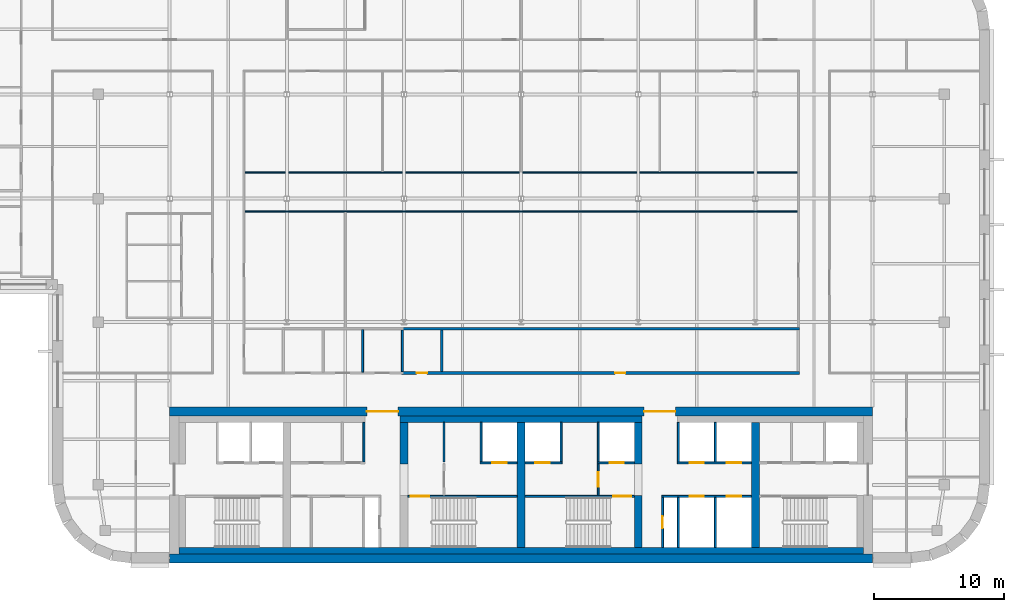
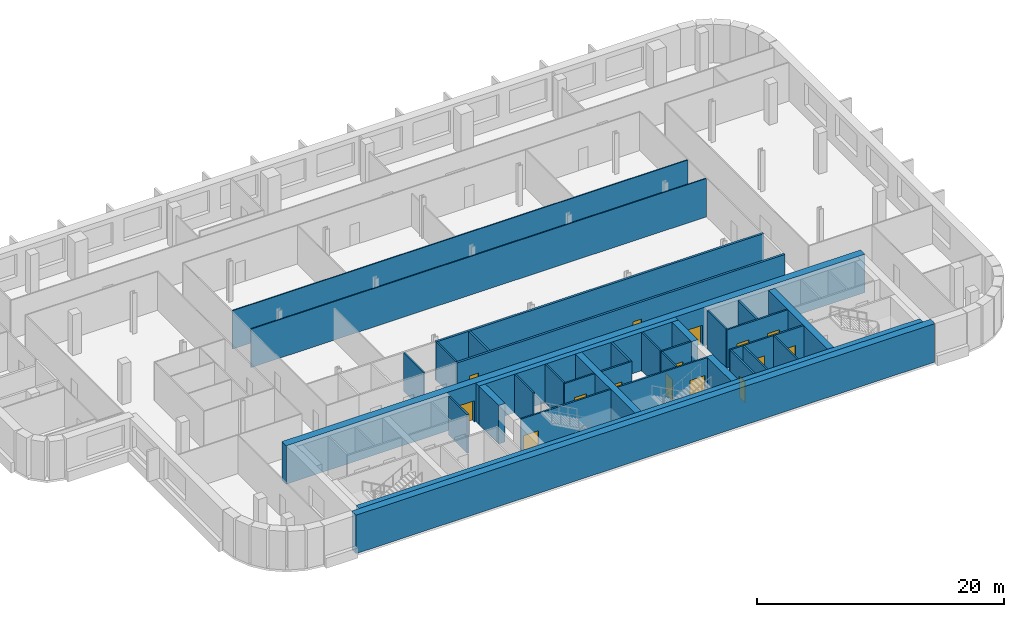
# One storey, part 9 of 16: 34 walls, 15 doors, 15 openings.
"""IFC4 building model written with IfcOpenShell, lengths in metres."""

from ifc_helpers import new_model, si_unit, direction, frame, frame_2d, origin, place, context, subcontext, project, spatial, rectangle, extrude, material, layer, layer_set, type_object, element, fill, save


model = new_model("IFC4")

# Units and contexts
model_context = context("Model", 3, precision=1e-05, world=origin(), true_north=direction((0.0, 1.0)))
body_context = subcontext(model_context, "Body", "Model", "MODEL_VIEW")
ifc_project = project(units=[si_unit("LENGTHUNIT", "METRE"), si_unit("AREAUNIT", "SQUARE_METRE"), si_unit("VOLUMEUNIT", "CUBIC_METRE"), si_unit("PLANEANGLEUNIT", "RADIAN"), si_unit("MASSUNIT", "GRAM", prefix="KILO")], contexts=[model_context])

# Site, building, storey
site_placement = place(None, origin())
site = spatial("IfcSite", under=ifc_project, at=site_placement, CompositionType="ELEMENT")
building_placement = place(site_placement, origin())
building = spatial("IfcBuilding", under=site, at=building_placement, Name="Zellij Exchange Tower", CompositionType="ELEMENT")
storey_placement = place(building_placement, frame((0.0, 0.0, 236.5)))
storey = spatial("IfcBuildingStorey", under=building, at=storey_placement, Name="L55", CompositionType="ELEMENT", Elevation=236.5)

# Walls
ifc_material_1 = material(Name="Concrete C50/60", Category="concrete")
ifc_layer_1 = layer(ifc_material_1, 0.60009765625)
ifc_layer_set_1 = layer_set([ifc_layer_1], Name="Concrete C50/60")
wall_type_1 = type_object("IfcWallType", Name="CORE-CW 600 C50/60", PredefinedType="SHEAR", material=ifc_layer_set_1)
wall_1_placement = place(storey_placement, frame((-9.0, -6.375, 0.0), z_axis=(0.0, 0.0, 1.0), x_axis=(0.0, 1.0, 0.0)))
element("IfcWall", 1, at=wall_1_placement, inside=storey, type_object=wall_type_1, Name="Core cross wall pier x -9 b L55", PredefinedType="SHEAR", context=body_context, shape_type="SweptSolid", body=[
    extrude(rectangle(XDim=3.175048828125, YDim=0.60009765625, at=frame_2d((1.58740234375, 0.0))), origin(), (0.0, 0.0, 1.0), 3.800048828125),
])
wall_2_placement = place(storey_placement, frame((0.0, -12.800048828125, 0.0), z_axis=(0.0, 0.0, 1.0), x_axis=(0.0, 1.0, 0.0)))
element("IfcWall", 2, at=wall_2_placement, inside=storey, type_object=wall_type_1, Name="Core cross wall x 0 L55", PredefinedType="SHEAR", context=body_context, shape_type="SweptSolid", body=[
    extrude(rectangle(XDim=9.60009765625, YDim=0.60009765625, at=frame_2d((4.800048828125, 0.0))), origin(), (0.0, 0.0, 1.0), 3.800048828125),
])
wall_3_placement = place(storey_placement, frame((9.0, -12.800048828125, 0.0), z_axis=(0.0, 0.0, 1.0), x_axis=(0.0, 1.0, 0.0)))
element("IfcWall", 3, at=wall_3_placement, inside=storey, type_object=wall_type_1, Name="Core cross wall pier x 9 a L55", PredefinedType="SHEAR", context=body_context, shape_type="SweptSolid", body=[
    extrude(rectangle(XDim=4.0, YDim=0.60009765625, at=frame_2d((2.0, 0.0))), origin(), (0.0, 0.0, 1.0), 3.800048828125),
])
wall_4_placement = place(storey_placement, frame((9.0, -6.375, 0.0), z_axis=(0.0, 0.0, 1.0), x_axis=(0.0, 1.0, 0.0)))
element("IfcWall", 4, at=wall_4_placement, inside=storey, type_object=wall_type_1, Name="Core cross wall pier x 9 b L55", PredefinedType="SHEAR", context=body_context, shape_type="SweptSolid", body=[
    extrude(rectangle(XDim=3.175048828125, YDim=0.60009765625, at=frame_2d((1.58740234375, 0.0))), origin(), (0.0, 0.0, 1.0), 3.800048828125),
])
wall_5_placement = place(storey_placement, frame((18.0, -12.800048828125, 0.0), z_axis=(0.0, 0.0, 1.0), x_axis=(0.0, 1.0, 0.0)))
element("IfcWall", 5, at=wall_5_placement, inside=storey, type_object=wall_type_1, Name="Core cross wall x 18 L55", PredefinedType="SHEAR", context=body_context, shape_type="SweptSolid", body=[
    extrude(rectangle(XDim=9.60009765625, YDim=0.60009765625, at=frame_2d((4.800048828125, 0.0))), origin(), (0.0, 0.0, 1.0), 3.800048828125),
])
ifc_material_2 = material(Name="Concrete C30/37", Category="concrete")
ifc_layer_2 = layer(ifc_material_2, 0.5)
ifc_layer_set_2 = layer_set([ifc_layer_2], Name="Concrete C30/37")
wall_type_2 = type_object("IfcWallType", Name="CORE-LW 500 C30/37", PredefinedType="SHEAR", material=ifc_layer_set_2)
wall_6_placement = place(storey_placement, frame((-9.300048828125, -2.949951171875, 0.0), z_axis=(0.0, 0.0, 1.0), x_axis=(1.0, 0.0, 0.0)))
element("IfcWall", 6, at=wall_6_placement, inside=storey, type_object=wall_type_2, Name="Core wall lining front.1 L55", PredefinedType="SHEAR", context=body_context, shape_type="SweptSolid", body=[
    extrude(rectangle(XDim=18.60009765625, YDim=0.5, at=frame_2d((9.300048828125, 0.0))), origin(), (0.0, 0.0, 1.0), 3.800048828125),
])
wall_7_placement = place(storey_placement, frame((-26.300048828125, -13.050048828125, 0.0), z_axis=(0.0, 0.0, 1.0), x_axis=(1.0, 0.0, 0.0)))
element("IfcWall", 7, at=wall_7_placement, inside=storey, type_object=wall_type_2, Name="Core wall lining rear.0 L55", PredefinedType="SHEAR", context=body_context, shape_type="SweptSolid", body=[
    extrude(rectangle(XDim=52.60009765625, YDim=0.5, at=frame_2d((26.300048828125, 0.0))), origin(), (0.0, 0.0, 1.0), 3.800048828125),
])

# Wall, opening, door
ifc_material_3 = material(Name="Gypsum shaft wall system")
ifc_layer_3 = layer(ifc_material_3, 0.14990234375)
ifc_layer_set_3 = layer_set([ifc_layer_3], Name="Gypsum shaft wall system")
wall_type_3 = type_object("IfcWallType", Name="CORE-PW 150 Firefighting lobby wall", PredefinedType="PARTITIONING", material=ifc_layer_set_3)
wall_8_placement = place(storey_placement, frame((5.925048828125, -8.800048828125, 0.0), z_axis=(0.0, 0.0, 1.0), x_axis=(0.0, 1.0, 0.0)))
wall_8 = element("IfcWall", 8, at=wall_8_placement, inside=storey, type_object=wall_type_3, Name="Firefighting lobby wall L55", PredefinedType="PARTITIONING", context=body_context, shape_type="SweptSolid", body=[
    extrude(rectangle(XDim=2.425048828125, YDim=0.14990234375, at=frame_2d((1.21240234375, 0.0))), origin(), (0.0, 0.0, 1.0), 3.800048828125),
])
opening_1_placement = place(wall_8_placement, frame((0.662109375, 0.0, 0.0)))
opening_1 = element("IfcOpeningElement", 9, at=opening_1_placement, cuts=wall_8, Name="Opening CA-29.15", PredefinedType="OPENING", context=body_context, shape_type="SweptSolid", body=[
    extrude(rectangle(XDim=1.10009765625, YDim=2.10009765625, at=frame_2d((0.550048828125, 1.050048828125))), frame((0.0, 0.0869140625, 0.0), z_axis=(0.0, -1.0, 0.0), x_axis=(1.0, 0.0, 0.0)), (0.0, 0.0, 1.0), 0.173828125),
])
ifc_material_4 = material(Name="Hollow metal fire door")
door_type_1 = type_object("IfcDoorType", Name="CORE-D F Firefighting lobby door 1100x2100 1 HR", OperationType="NOTDEFINED", PredefinedType="DOOR", material=ifc_material_4)
door_1_placement = place(opening_1_placement, origin())
door_1 = element("IfcDoor", 10, at=door_1_placement, inside=storey, type_object=door_type_1, Name="Firefighting lobby door CA-29.15", OperationType="SINGLE_SWING_RIGHT", OverallHeight=2.10009765625, OverallWidth=1.10009765625, PredefinedType="DOOR", context=body_context, shape_type="SweptSolid", body=[
    extrude(rectangle(XDim=1.10009765625, YDim=2.10009765625, at=frame_2d((0.550048828125, 1.050048828125))), frame((0.0, 0.02490234375, 0.0), z_axis=(0.0, -1.0, 0.0), x_axis=(1.0, 0.0, 0.0)), (0.0, 0.0, 1.0), 0.050048828125),
])
fill(opening_1, door_1)

# Walls
ifc_material_5 = material(Name="Gypsum board partition")
ifc_layer_4 = layer(ifc_material_5, 0.14990234375)
ifc_layer_set_4 = layer_set([ifc_layer_4], Name="Gypsum board partition")
wall_type_4 = type_object("IfcWallType", Name="CORE-PW 150 Lift lobby wall", PredefinedType="PARTITIONING", material=ifc_layer_set_4)
for number, where, z_axis, x_axis, name in (
    (11, (-12.074951171875, -6.22509765625, 0.0), (0.0, 0.0, 1.0), (0.0, 1.0, 0.0), "Lift lobby wall L55"),
    (12, (-5.925048828125, -6.22509765625, 0.0), (0.0, 0.0, 1.0), (0.0, 1.0, 0.0), "Lift lobby wall L55"),
):
    element("IfcWall", number, at=place(storey_placement, frame(where, z_axis=z_axis, x_axis=x_axis)), inside=storey, type_object=wall_type_4, Name=name, PredefinedType="PARTITIONING", context=body_context, shape_type="SweptSolid", body=[
        extrude(rectangle(XDim=3.025146484375, YDim=0.14990234375, at=frame_2d((1.5126953125, 0.0))), origin(), (0.0, 0.0, 1.0), 3.800048828125),
    ])

# Wall, opening, door
wall_9_placement = place(storey_placement, frame((10.875, -12.800048828125, 0.0), z_axis=(0.0, 0.0, 1.0), x_axis=(0.0, 1.0, 0.0)))
wall_9 = element("IfcWall", 13, at=wall_9_placement, inside=storey, type_object=wall_type_4, Name="Lift lobby wall L55", PredefinedType="PARTITIONING", context=body_context, shape_type="SweptSolid", body=[
    extrude(rectangle(XDim=3.85009765625, YDim=0.14990234375, at=frame_2d((1.925048828125, 0.0))), origin(), (0.0, 0.0, 1.0), 3.800048828125),
])
opening_2_placement = place(wall_9_placement, frame((1.47509765625, 0.0, 0.0)))
opening_2 = element("IfcOpeningElement", 14, at=opening_2_placement, cuts=wall_9, Name="Opening CA-29.19", PredefinedType="OPENING", context=body_context, shape_type="SweptSolid", body=[
    extrude(rectangle(XDim=0.89990234375, YDim=2.10009765625, at=frame_2d((0.449951171875, 1.050048828125))), frame((0.0, 0.0869140625, 0.0), z_axis=(0.0, -1.0, 0.0), x_axis=(1.0, 0.0, 0.0)), (0.0, 0.0, 1.0), 0.173828125),
])
door_type_2 = type_object("IfcDoorType", Name="CORE-D RD Riser door 900x2100 1.5 HR", OperationType="NOTDEFINED", PredefinedType="DOOR", material=ifc_material_4)
door_2_placement = place(opening_2_placement, origin())
door_2 = element("IfcDoor", 15, at=door_2_placement, inside=storey, type_object=door_type_2, Name="Riser door CA-29.19", OperationType="SINGLE_SWING_LEFT", OverallHeight=2.10009765625, OverallWidth=0.89990234375, PredefinedType="DOOR", context=body_context, shape_type="SweptSolid", body=[
    extrude(rectangle(XDim=0.89990234375, YDim=2.10009765625, at=frame_2d((0.449951171875, 1.050048828125))), frame((0.0, 0.02490234375, 0.0), z_axis=(0.0, -1.0, 0.0), x_axis=(1.0, 0.0, 0.0)), (0.0, 0.0, 1.0), 0.050048828125),
])
fill(opening_2, door_2)

# Walls
ifc_layer_5 = layer(ifc_material_3, 0.14990234375)
ifc_layer_set_5 = layer_set([ifc_layer_5], Name="Gypsum shaft wall system")
wall_type_5 = type_object("IfcWallType", Name="CORE-PW 150 Lift shaft wall", PredefinedType="PARTITIONING", material=ifc_layer_set_5)
for number, where, z_axis, x_axis, name in (
    (16, (-3.074951171875, -6.22509765625, 0.0), (0.0, 0.0, 1.0), (0.0, 1.0, 0.0), "Lift shaft wall L55"),
    (17, (3.074951171875, -6.22509765625, 0.0), (0.0, 0.0, 1.0), (0.0, 1.0, 0.0), "Lift shaft wall L55"),
    (18, (5.925048828125, -6.22509765625, 0.0), (0.0, 0.0, 1.0), (0.0, 1.0, 0.0), "Lift shaft wall L55"),
    (19, (12.074951171875, -6.22509765625, 0.0), (0.0, 0.0, 1.0), (0.0, 1.0, 0.0), "Lift shaft wall L55"),
    (20, (14.925048828125, -6.22509765625, 0.0), (0.0, 0.0, 1.0), (0.0, 1.0, 0.0), "Lift shaft wall L55"),
):
    element("IfcWall", number, at=place(storey_placement, frame(where, z_axis=z_axis, x_axis=x_axis)), inside=storey, type_object=wall_type_5, Name=name, PredefinedType="PARTITIONING", context=body_context, shape_type="SweptSolid", body=[
        extrude(rectangle(XDim=3.025146484375, YDim=0.14990234375, at=frame_2d((1.5126953125, 0.0))), origin(), (0.0, 0.0, 1.0), 3.800048828125),
    ])
for number, where, z_axis, x_axis, name in (
    (21, (12.074951171875, -12.800048828125, 0.0), (0.0, 0.0, 1.0), (0.0, 1.0, 0.0), "Lift shaft wall L55"),
    (22, (14.925048828125, -12.800048828125, 0.0), (0.0, 0.0, 1.0), (0.0, 1.0, 0.0), "Lift shaft wall L55"),
):
    element("IfcWall", number, at=place(storey_placement, frame(where, z_axis=z_axis, x_axis=x_axis)), inside=storey, type_object=wall_type_5, Name=name, PredefinedType="PARTITIONING", context=body_context, shape_type="SweptSolid", body=[
        extrude(rectangle(XDim=3.85009765625, YDim=0.14990234375, at=frame_2d((1.925048828125, 0.0))), origin(), (0.0, 0.0, 1.0), 3.800048828125),
    ])

# Wall, opening, door
wall_10_placement = place(storey_placement, frame((-3.14990234375, -6.300048828125, 0.0), z_axis=(0.0, 0.0, 1.0), x_axis=(1.0, 0.0, 0.0)))
wall_10 = element("IfcWall", 23, at=wall_10_placement, inside=storey, type_object=wall_type_5, Name="Lift shaft wall L55", PredefinedType="PARTITIONING", context=body_context, shape_type="SweptSolid", body=[
    extrude(rectangle(XDim=2.849853515625, YDim=0.14990234375, at=frame_2d((1.4248046875, 0.0))), origin(), (0.0, 0.0, 1.0), 3.800048828125),
])
opening_3_placement = place(wall_10_placement, frame((0.949951171875, 0.0, 0.0)))
opening_3 = element("IfcOpeningElement", 24, at=opening_3_placement, cuts=wall_10, Name="Opening CA-29.13", PredefinedType="OPENING", context=body_context, shape_type="SweptSolid", body=[
    extrude(rectangle(XDim=1.10009765625, YDim=2.10009765625, at=frame_2d((0.550048828125, 1.050048828125))), frame((0.0, 0.0869140625, 0.0), z_axis=(0.0, -1.0, 0.0), x_axis=(1.0, 0.0, 0.0)), (0.0, 0.0, 1.0), 0.173828125),
])
door_type_3 = type_object("IfcDoorType", Name="CORE-D LD Lift landing door 1100x2100 1.5 HR", OperationType="NOTDEFINED", PredefinedType="DOOR", material=ifc_material_4)
door_3_placement = place(opening_3_placement, origin())
door_3 = element("IfcDoor", 25, at=door_3_placement, inside=storey, type_object=door_type_3, Name="Lift landing door CA-29.13", OperationType="SLIDING_TO_LEFT", OverallHeight=2.10009765625, OverallWidth=1.10009765625, PredefinedType="DOOR", context=body_context, shape_type="SweptSolid", body=[
    extrude(rectangle(XDim=1.10009765625, YDim=2.10009765625, at=frame_2d((0.550048828125, 1.050048828125))), frame((0.0, 0.02490234375, 0.0), z_axis=(0.0, -1.0, 0.0), x_axis=(1.0, 0.0, 0.0)), (0.0, 0.0, 1.0), 0.050048828125),
])
fill(opening_3, door_3)

wall_11_placement = place(storey_placement, frame((0.300048828125, -6.300048828125, 0.0), z_axis=(0.0, 0.0, 1.0), x_axis=(1.0, 0.0, 0.0)))
wall_11 = element("IfcWall", 26, at=wall_11_placement, inside=storey, type_object=wall_type_5, Name="Lift shaft wall L55", PredefinedType="PARTITIONING", context=body_context, shape_type="SweptSolid", body=[
    extrude(rectangle(XDim=2.849853515625, YDim=0.14990234375, at=frame_2d((1.4248046875, 0.0))), origin(), (0.0, 0.0, 1.0), 3.800048828125),
])
opening_4_placement = place(wall_11_placement, frame((0.800048828125, 0.0, 0.0)))
opening_4 = element("IfcOpeningElement", 27, at=opening_4_placement, cuts=wall_11, Name="Opening CA-29.14", PredefinedType="OPENING", context=body_context, shape_type="SweptSolid", body=[
    extrude(rectangle(XDim=1.10009765625, YDim=2.10009765625, at=frame_2d((0.550048828125, 1.050048828125))), frame((0.0, 0.0869140625, 0.0), z_axis=(0.0, -1.0, 0.0), x_axis=(1.0, 0.0, 0.0)), (0.0, 0.0, 1.0), 0.173828125),
])
door_4_placement = place(opening_4_placement, origin())
door_4 = element("IfcDoor", 28, at=door_4_placement, inside=storey, type_object=door_type_3, Name="Lift landing door CA-29.14", OperationType="SLIDING_TO_RIGHT", OverallHeight=2.10009765625, OverallWidth=1.10009765625, PredefinedType="DOOR", context=body_context, shape_type="SweptSolid", body=[
    extrude(rectangle(XDim=1.10009765625, YDim=2.10009765625, at=frame_2d((0.550048828125, 1.050048828125))), frame((0.0, 0.02490234375, 0.0), z_axis=(0.0, -1.0, 0.0), x_axis=(1.0, 0.0, 0.0)), (0.0, 0.0, 1.0), 0.050048828125),
])
fill(opening_4, door_4)

wall_12_placement = place(storey_placement, frame((5.85009765625, -6.300048828125, 0.0), z_axis=(0.0, 0.0, 1.0), x_axis=(1.0, 0.0, 0.0)))
wall_12 = element("IfcWall", 29, at=wall_12_placement, inside=storey, type_object=wall_type_5, Name="Lift shaft wall L55", PredefinedType="PARTITIONING", context=body_context, shape_type="SweptSolid", body=[
    extrude(rectangle(XDim=2.849853515625, YDim=0.14990234375, at=frame_2d((1.4248046875, 0.0))), origin(), (0.0, 0.0, 1.0), 3.800048828125),
])
opening_5_placement = place(wall_12_placement, frame((0.949951171875, 0.0, 0.0)))
opening_5 = element("IfcOpeningElement", 30, at=opening_5_placement, cuts=wall_12, Name="Opening CA-29.16", PredefinedType="OPENING", context=body_context, shape_type="SweptSolid", body=[
    extrude(rectangle(XDim=1.10009765625, YDim=2.10009765625, at=frame_2d((0.550048828125, 1.050048828125))), frame((0.0, 0.0869140625, 0.0), z_axis=(0.0, -1.0, 0.0), x_axis=(1.0, 0.0, 0.0)), (0.0, 0.0, 1.0), 0.173828125),
])
door_5_placement = place(opening_5_placement, origin())
door_5 = element("IfcDoor", 31, at=door_5_placement, inside=storey, type_object=door_type_3, Name="Lift landing door CA-29.16", OperationType="SLIDING_TO_RIGHT", OverallHeight=2.10009765625, OverallWidth=1.10009765625, PredefinedType="DOOR", context=body_context, shape_type="SweptSolid", body=[
    extrude(rectangle(XDim=1.10009765625, YDim=2.10009765625, at=frame_2d((0.550048828125, 1.050048828125))), frame((0.0, 0.02490234375, 0.0), z_axis=(0.0, -1.0, 0.0), x_axis=(1.0, 0.0, 0.0)), (0.0, 0.0, 1.0), 0.050048828125),
])
fill(opening_5, door_5)

# Wall, openings, doors
wall_13_placement = place(storey_placement, frame((12.0, -6.300048828125, 0.0), z_axis=(0.0, 0.0, 1.0), x_axis=(1.0, 0.0, 0.0)))
wall_13 = element("IfcWall", 32, at=wall_13_placement, inside=storey, type_object=wall_type_5, Name="Lift shaft wall L55", PredefinedType="PARTITIONING", context=body_context, shape_type="SweptSolid", body=[
    extrude(rectangle(XDim=5.699951171875, YDim=0.14990234375, at=frame_2d((2.85009765625, 0.0))), origin(), (0.0, 0.0, 1.0), 3.800048828125),
])
opening_6_placement = place(wall_13_placement, frame((0.949951171875, 0.0, 0.0)))
opening_6 = element("IfcOpeningElement", 33, at=opening_6_placement, cuts=wall_13, Name="Opening CA-29.21", PredefinedType="OPENING", context=body_context, shape_type="SweptSolid", body=[
    extrude(rectangle(XDim=1.10009765625, YDim=2.10009765625, at=frame_2d((0.550048828125, 1.050048828125))), frame((0.0, 0.0869140625, 0.0), z_axis=(0.0, -1.0, 0.0), x_axis=(1.0, 0.0, 0.0)), (0.0, 0.0, 1.0), 0.173828125),
])
opening_7_placement = place(wall_13_placement, frame((3.800048828125, 0.0, 0.0)))
opening_7 = element("IfcOpeningElement", 34, at=opening_7_placement, cuts=wall_13, Name="Opening CA-29.23", PredefinedType="OPENING", context=body_context, shape_type="SweptSolid", body=[
    extrude(rectangle(XDim=1.10009765625, YDim=2.10009765625, at=frame_2d((0.550048828125, 1.050048828125))), frame((0.0, 0.0869140625, 0.0), z_axis=(0.0, -1.0, 0.0), x_axis=(1.0, 0.0, 0.0)), (0.0, 0.0, 1.0), 0.173828125),
])
door_6_placement = place(opening_6_placement, origin())
door_6 = element("IfcDoor", 35, at=door_6_placement, inside=storey, type_object=door_type_3, Name="Lift landing door CA-29.21", OperationType="SLIDING_TO_LEFT", OverallHeight=2.10009765625, OverallWidth=1.10009765625, PredefinedType="DOOR", context=body_context, shape_type="SweptSolid", body=[
    extrude(rectangle(XDim=1.10009765625, YDim=2.10009765625, at=frame_2d((0.550048828125, 1.050048828125))), frame((0.0, 0.02490234375, 0.0), z_axis=(0.0, -1.0, 0.0), x_axis=(1.0, 0.0, 0.0)), (0.0, 0.0, 1.0), 0.050048828125),
])
fill(opening_6, door_6)
door_7_placement = place(opening_7_placement, origin())
door_7 = element("IfcDoor", 36, at=door_7_placement, inside=storey, type_object=door_type_3, Name="Lift landing door CA-29.23", OperationType="SLIDING_TO_LEFT", OverallHeight=2.10009765625, OverallWidth=1.10009765625, PredefinedType="DOOR", context=body_context, shape_type="SweptSolid", body=[
    extrude(rectangle(XDim=1.10009765625, YDim=2.10009765625, at=frame_2d((0.550048828125, 1.050048828125))), frame((0.0, 0.02490234375, 0.0), z_axis=(0.0, -1.0, 0.0), x_axis=(1.0, 0.0, 0.0)), (0.0, 0.0, 1.0), 0.050048828125),
])
fill(opening_7, door_7)

wall_14_placement = place(storey_placement, frame((10.800048828125, -8.875, 0.0), z_axis=(0.0, 0.0, 1.0), x_axis=(1.0, 0.0, 0.0)))
wall_14 = element("IfcWall", 37, at=wall_14_placement, inside=storey, type_object=wall_type_5, Name="Lift shaft wall L55", PredefinedType="PARTITIONING", context=body_context, shape_type="SweptSolid", body=[
    extrude(rectangle(XDim=6.89990234375, YDim=0.14990234375, at=frame_2d((3.449951171875, 0.0))), origin(), (0.0, 0.0, 1.0), 3.800048828125),
])
opening_8_placement = place(wall_14_placement, frame((2.14990234375, 0.0, 0.0)))
opening_8 = element("IfcOpeningElement", 38, at=opening_8_placement, cuts=wall_14, Name="Opening CA-29.20", PredefinedType="OPENING", context=body_context, shape_type="SweptSolid", body=[
    extrude(rectangle(XDim=1.10009765625, YDim=2.10009765625, at=frame_2d((0.550048828125, 1.050048828125))), frame((0.0, 0.0869140625, 0.0), z_axis=(0.0, -1.0, 0.0), x_axis=(1.0, 0.0, 0.0)), (0.0, 0.0, 1.0), 0.173828125),
])
opening_9_placement = place(wall_14_placement, frame((5.0, 0.0, 0.0)))
opening_9 = element("IfcOpeningElement", 39, at=opening_9_placement, cuts=wall_14, Name="Opening CA-29.22", PredefinedType="OPENING", context=body_context, shape_type="SweptSolid", body=[
    extrude(rectangle(XDim=1.10009765625, YDim=2.10009765625, at=frame_2d((0.550048828125, 1.050048828125))), frame((0.0, 0.0869140625, 0.0), z_axis=(0.0, -1.0, 0.0), x_axis=(1.0, 0.0, 0.0)), (0.0, 0.0, 1.0), 0.173828125),
])
door_8_placement = place(opening_8_placement, origin())
door_8 = element("IfcDoor", 40, at=door_8_placement, inside=storey, type_object=door_type_3, Name="Lift landing door CA-29.20", OperationType="SLIDING_TO_RIGHT", OverallHeight=2.10009765625, OverallWidth=1.10009765625, PredefinedType="DOOR", context=body_context, shape_type="SweptSolid", body=[
    extrude(rectangle(XDim=1.10009765625, YDim=2.10009765625, at=frame_2d((0.550048828125, 1.050048828125))), frame((0.0, 0.02490234375, 0.0), z_axis=(0.0, -1.0, 0.0), x_axis=(1.0, 0.0, 0.0)), (0.0, 0.0, 1.0), 0.050048828125),
])
fill(opening_8, door_8)
door_9_placement = place(opening_9_placement, origin())
door_9 = element("IfcDoor", 41, at=door_9_placement, inside=storey, type_object=door_type_3, Name="Lift landing door CA-29.22", OperationType="SLIDING_TO_RIGHT", OverallHeight=2.10009765625, OverallWidth=1.10009765625, PredefinedType="DOOR", context=body_context, shape_type="SweptSolid", body=[
    extrude(rectangle(XDim=1.10009765625, YDim=2.10009765625, at=frame_2d((0.550048828125, 1.050048828125))), frame((0.0, 0.02490234375, 0.0), z_axis=(0.0, -1.0, 0.0), x_axis=(1.0, 0.0, 0.0)), (0.0, 0.0, 1.0), 0.050048828125),
])
fill(opening_9, door_9)

ifc_layer_6 = layer(ifc_material_1, 0.699951171875)
ifc_layer_set_6 = layer_set([ifc_layer_6], Name="Concrete C50/60")
wall_type_6 = type_object("IfcWallType", Name="CORE-SW 700 C50/60", PredefinedType="SHEAR", material=ifc_layer_set_6)
wall_15_placement = place(storey_placement, frame((-27.0, -2.35009765625, 0.0), z_axis=(0.0, 0.0, 1.0), x_axis=(1.0, 0.0, 0.0)))
wall_15 = element("IfcWall", 42, at=wall_15_placement, inside=storey, type_object=wall_type_6, Name="Core shear wall front L55", PredefinedType="SHEAR", context=body_context, shape_type="SweptSolid", body=[
    extrude(rectangle(XDim=54.0, YDim=0.699951171875, at=frame_2d((27.0, 0.0))), origin(), (0.0, 0.0, 1.0), 3.800048828125),
])
opening_10_placement = place(wall_15_placement, frame((15.14990234375, 0.0, 0.0)))
opening_10 = element("IfcOpeningElement", 43, at=opening_10_placement, cuts=wall_15, Name="Opening CA-29.10", PredefinedType="OPENING", context=body_context, shape_type="SweptSolid", body=[
    extrude(rectangle(XDim=2.39990234375, YDim=2.10009765625, at=frame_2d((1.199951171875, 1.050048828125))), frame((0.0, 0.36181640625, 0.0), z_axis=(0.0, -1.0, 0.0), x_axis=(1.0, 0.0, 0.0)), (0.0, 0.0, 1.0), 0.723876953125),
])
opening_11_placement = place(wall_15_placement, frame((36.449951171875, 0.0, 0.0)))
opening_11 = element("IfcOpeningElement", 44, at=opening_11_placement, cuts=wall_15, Name="Opening CA-29.18", PredefinedType="OPENING", context=body_context, shape_type="SweptSolid", body=[
    extrude(rectangle(XDim=2.39990234375, YDim=2.10009765625, at=frame_2d((1.199951171875, 1.050048828125))), frame((0.0, 0.36181640625, 0.0), z_axis=(0.0, -1.0, 0.0), x_axis=(1.0, 0.0, 0.0)), (0.0, 0.0, 1.0), 0.723876953125),
])
door_type_4 = type_object("IfcDoorType", Name="CORE-D CE Core entrance door 2400x2100 20 MIN", OperationType="NOTDEFINED", PredefinedType="DOOR", material=ifc_material_4)
door_10_placement = place(opening_10_placement, origin())
door_10 = element("IfcDoor", 45, at=door_10_placement, inside=storey, type_object=door_type_4, Name="Core entrance door CA-29.10", OperationType="DOUBLE_DOOR_SINGLE_SWING", OverallHeight=2.10009765625, OverallWidth=2.39990234375, PredefinedType="DOOR", context=body_context, shape_type="SweptSolid", body=[
    extrude(rectangle(XDim=2.39990234375, YDim=2.10009765625, at=frame_2d((1.199951171875, 1.050048828125))), frame((0.0, 0.02490234375, 0.0), z_axis=(0.0, -1.0, 0.0), x_axis=(1.0, 0.0, 0.0)), (0.0, 0.0, 1.0), 0.050048828125),
])
fill(opening_10, door_10)
door_11_placement = place(opening_11_placement, origin())
door_11 = element("IfcDoor", 46, at=door_11_placement, inside=storey, type_object=door_type_4, Name="Core entrance door CA-29.18", OperationType="DOUBLE_DOOR_SINGLE_SWING", OverallHeight=2.10009765625, OverallWidth=2.39990234375, PredefinedType="DOOR", context=body_context, shape_type="SweptSolid", body=[
    extrude(rectangle(XDim=2.39990234375, YDim=2.10009765625, at=frame_2d((1.199951171875, 1.050048828125))), frame((0.0, 0.02490234375, 0.0), z_axis=(0.0, -1.0, 0.0), x_axis=(1.0, 0.0, 0.0)), (0.0, 0.0, 1.0), 0.050048828125),
])
fill(opening_11, door_11)

# Wall
wall_16_placement = place(storey_placement, frame((-27.0, -13.64990234375, 0.0), z_axis=(0.0, 0.0, 1.0), x_axis=(1.0, 0.0, 0.0)))
element("IfcWall", 47, at=wall_16_placement, inside=storey, type_object=wall_type_6, Name="Core shear wall rear L55", PredefinedType="SHEAR", context=body_context, shape_type="SweptSolid", body=[
    extrude(rectangle(XDim=54.0, YDim=0.699951171875, at=frame_2d((27.0, 0.0))), origin(), (0.0, 0.0, 1.0), 3.800048828125),
])

# Wall, opening, door
ifc_layer_7 = layer(ifc_material_1, 0.14990234375)
ifc_layer_set_7 = layer_set([ifc_layer_7], Name="Concrete C50/60")
wall_type_7 = type_object("IfcWallType", Name="CORE-SWS 150 C50/60", PredefinedType="SHEAR", material=ifc_layer_set_7)
wall_17_placement = place(storey_placement, frame((-8.699951171875, -8.875, 0.0), z_axis=(0.0, 0.0, 1.0), x_axis=(1.0, 0.0, 0.0)))
wall_17 = element("IfcWall", 48, at=wall_17_placement, inside=storey, type_object=wall_type_7, Name="Stair enclosure wall L55", PredefinedType="SHEAR", context=body_context, shape_type="SweptSolid", body=[
    extrude(rectangle(XDim=8.39990234375, YDim=0.14990234375, at=frame_2d((4.199951171875, 0.0))), origin(), (0.0, 0.0, 1.0), 3.800048828125),
])
opening_12_placement = place(wall_17_placement, frame((0.22509765625, 0.0, 0.0)))
opening_12 = element("IfcOpeningElement", 49, at=opening_12_placement, cuts=wall_17, Name="Opening CA-29.11", PredefinedType="OPENING", context=body_context, shape_type="SweptSolid", body=[
    extrude(rectangle(XDim=1.39990234375, YDim=2.10009765625, at=frame_2d((0.699951171875, 1.050048828125))), frame((0.0, 0.0869140625, 0.0), z_axis=(0.0, -1.0, 0.0), x_axis=(1.0, 0.0, 0.0)), (0.0, 0.0, 1.0), 0.173828125),
])
door_type_5 = type_object("IfcDoorType", Name="CORE-D SD Stair door 1400x2100 1.5 HR", OperationType="NOTDEFINED", PredefinedType="DOOR", material=ifc_material_4)
door_12_placement = place(opening_12_placement, origin())
door_12 = element("IfcDoor", 50, at=door_12_placement, inside=storey, type_object=door_type_5, Name="Stair door CA-29.11", OperationType="DOUBLE_DOOR_SINGLE_SWING", OverallHeight=2.10009765625, OverallWidth=1.39990234375, PredefinedType="DOOR", context=body_context, shape_type="SweptSolid", body=[
    extrude(rectangle(XDim=1.39990234375, YDim=2.10009765625, at=frame_2d((0.699951171875, 1.050048828125))), frame((0.0, 0.02490234375, 0.0), z_axis=(0.0, -1.0, 0.0), x_axis=(1.0, 0.0, 0.0)), (0.0, 0.0, 1.0), 0.050048828125),
])
fill(opening_12, door_12)

wall_18_placement = place(storey_placement, frame((0.300048828125, -8.875, 0.0), z_axis=(0.0, 0.0, 1.0), x_axis=(1.0, 0.0, 0.0)))
wall_18 = element("IfcWall", 51, at=wall_18_placement, inside=storey, type_object=wall_type_7, Name="Stair enclosure wall L55", PredefinedType="SHEAR", context=body_context, shape_type="SweptSolid", body=[
    extrude(rectangle(XDim=8.39990234375, YDim=0.14990234375, at=frame_2d((4.199951171875, 0.0))), origin(), (0.0, 0.0, 1.0), 3.800048828125),
])
opening_13_placement = place(wall_18_placement, frame((6.77490234375, 0.0, 0.0)))
opening_13 = element("IfcOpeningElement", 52, at=opening_13_placement, cuts=wall_18, Name="Opening CA-29.17", PredefinedType="OPENING", context=body_context, shape_type="SweptSolid", body=[
    extrude(rectangle(XDim=1.39990234375, YDim=2.10009765625, at=frame_2d((0.699951171875, 1.050048828125))), frame((0.0, 0.0869140625, 0.0), z_axis=(0.0, -1.0, 0.0), x_axis=(1.0, 0.0, 0.0)), (0.0, 0.0, 1.0), 0.173828125),
])
door_13_placement = place(opening_13_placement, origin())
door_13 = element("IfcDoor", 53, at=door_13_placement, inside=storey, type_object=door_type_5, Name="Stair door CA-29.17", OperationType="DOUBLE_DOOR_SINGLE_SWING", OverallHeight=2.10009765625, OverallWidth=1.39990234375, PredefinedType="DOOR", context=body_context, shape_type="SweptSolid", body=[
    extrude(rectangle(XDim=1.39990234375, YDim=2.10009765625, at=frame_2d((0.699951171875, 1.050048828125))), frame((0.0, 0.02490234375, 0.0), z_axis=(0.0, -1.0, 0.0), x_axis=(1.0, 0.0, 0.0)), (0.0, 0.0, 1.0), 0.050048828125),
])
fill(opening_13, door_13)

# Wall, openings, doors
ifc_material_6 = material(Name="Blockwork partition", Category="masonry")
ifc_layer_8 = layer(ifc_material_6, 0.199951171875)
ifc_layer_set_8 = layer_set([ifc_layer_8], Name="Blockwork partition")
wall_type_8 = type_object("IfcWallType", Name="FIT-BLOCKWORK-200", PredefinedType="PARTITIONING", material=ifc_layer_set_8)
wall_19_placement = place(storey_placement, frame((-9.205078125, 0.60009765625, 0.0), z_axis=(0.0, 0.0, 1.0), x_axis=(1.0, 0.0, 0.0)))
wall_19 = element("IfcWall", 54, at=wall_19_placement, inside=storey, type_object=wall_type_8, Name="FIT-BLOCKWORK-200 012", PredefinedType="PARTITIONING", context=body_context, shape_type="SweptSolid", body=[
    extrude(rectangle(XDim=30.60498046875, YDim=0.199951171875, at=frame_2d((15.302490234375, 0.0))), origin(), (0.0, 0.0, 1.0), 3.800048828125),
])
opening_14_placement = place(wall_19_placement, frame((1.176025390625, 0.0, 0.0)))
opening_14 = element("IfcOpeningElement", 55, at=opening_14_placement, cuts=wall_19, Name="Opening O4C.06", PredefinedType="OPENING", context=body_context, shape_type="SweptSolid", body=[
    extrude(rectangle(XDim=0.800048828125, YDim=2.10009765625, at=frame_2d((0.39990234375, 1.050048828125))), frame((0.0, 0.11181640625, 0.0), z_axis=(0.0, -1.0, 0.0), x_axis=(1.0, 0.0, 0.0)), (0.0, 0.0, 1.0), 0.223876953125),
])
opening_15_placement = place(wall_19_placement, frame((16.4189453125, 0.0, 0.0)))
opening_15 = element("IfcOpeningElement", 56, at=opening_15_placement, cuts=wall_19, Name="Opening O4C.07", PredefinedType="OPENING", context=body_context, shape_type="SweptSolid", body=[
    extrude(rectangle(XDim=0.800048828125, YDim=2.10009765625, at=frame_2d((0.39990234375, 1.050048828125))), frame((0.0, 0.11181640625, 0.0), z_axis=(0.0, -1.0, 0.0), x_axis=(1.0, 0.0, 0.0)), (0.0, 0.0, 1.0), 0.223876953125),
])
ifc_material_7 = material(Name="Timber door set", Category="wood")
door_type_6 = type_object("IfcDoorType", Name="FIT-D6-SERVICE-800X2100", OperationType="SINGLE_SWING_LEFT", PredefinedType="DOOR", material=ifc_material_7)
door_14_placement = place(opening_14_placement, origin())
door_14 = element("IfcDoor", 57, at=door_14_placement, inside=storey, type_object=door_type_6, Name="Door O4C.06", OperationType="SINGLE_SWING_RIGHT", OverallHeight=2.10009765625, OverallWidth=0.800048828125, PredefinedType="DOOR", context=body_context, shape_type="SweptSolid", body=[
    extrude(rectangle(XDim=0.800048828125, YDim=2.10009765625, at=frame_2d((0.39990234375, 1.050048828125))), frame((0.0, 0.02490234375, 0.0), z_axis=(0.0, -1.0, 0.0), x_axis=(1.0, 0.0, 0.0)), (0.0, 0.0, 1.0), 0.050048828125),
])
fill(opening_14, door_14)
door_15_placement = place(opening_15_placement, origin())
door_15 = element("IfcDoor", 58, at=door_15_placement, inside=storey, type_object=door_type_6, Name="Door O4C.07", OperationType="SINGLE_SWING_LEFT", OverallHeight=2.10009765625, OverallWidth=0.800048828125, PredefinedType="DOOR", context=body_context, shape_type="SweptSolid", body=[
    extrude(rectangle(XDim=0.800048828125, YDim=2.10009765625, at=frame_2d((0.39990234375, 1.050048828125))), frame((0.0, 0.02490234375, 0.0), z_axis=(0.0, -1.0, 0.0), x_axis=(1.0, 0.0, 0.0)), (0.0, 0.0, 1.0), 0.050048828125),
])
fill(opening_15, door_15)

# Walls
wall_20_placement = place(storey_placement, frame((-6.090087890625, 0.699951171875, 0.0), z_axis=(0.0, 0.0, 1.0), x_axis=(0.0, 1.0, 0.0)))
element("IfcWall", 59, at=wall_20_placement, inside=storey, type_object=wall_type_8, Name="FIT-BLOCKWORK-200 014", PredefinedType="PARTITIONING", context=body_context, shape_type="SweptSolid", body=[
    extrude(rectangle(XDim=3.199951171875, YDim=0.199951171875, at=frame_2d((1.60009765625, 0.0))), origin(), (0.0, 0.0, 1.0), 3.800048828125),
])
wall_21_placement = place(storey_placement, frame((-9.205078125, 4.0, 0.0), z_axis=(0.0, 0.0, 1.0), x_axis=(1.0, 0.0, 0.0)))
element("IfcWall", 60, at=wall_21_placement, inside=storey, type_object=wall_type_8, Name="FIT-BLOCKWORK-200 021", PredefinedType="PARTITIONING", context=body_context, shape_type="SweptSolid", body=[
    extrude(rectangle(XDim=30.60498046875, YDim=0.199951171875, at=frame_2d((15.302490234375, 0.0))), origin(), (0.0, 0.0, 1.0), 3.800048828125),
])
ifc_material_8 = material(Name="Gypsum board partition on steel studs", Category="steel")
ifc_layer_9 = layer(ifc_material_8, 0.10009765625)
ifc_layer_set_9 = layer_set([ifc_layer_9], Name="Gypsum board partition on steel studs")
wall_type_9 = type_object("IfcWallType", Name="FIT-PARTITION-100", PredefinedType="PARTITIONING", material=ifc_layer_set_9)
for number, where, z_axis, x_axis, name in (
    (61, (-21.25, 13.0, 0.0), (0.0, 0.0, 1.0), (1.0, 0.0, 0.0), "FIT-PARTITION-100 033"),
    (62, (-21.25, 16.0, 0.0), (0.0, 0.0, 1.0), (1.0, 0.0, 0.0), "FIT-PARTITION-100 037"),
):
    element("IfcWall", number, at=place(storey_placement, frame(where, z_axis=z_axis, x_axis=x_axis)), inside=storey, type_object=wall_type_9, Name=name, PredefinedType="PARTITIONING", context=body_context, shape_type="SweptSolid", body=[
        extrude(rectangle(XDim=42.5, YDim=0.10009765625, at=frame_2d((21.25, 0.0))), origin(), (0.0, 0.0, 1.0), 3.800048828125),
    ])
ifc_material_9 = material(Name="Gypsum board shaft-wall partition", Category="gypsum")
ifc_layer_10 = layer(ifc_material_9, 0.14990234375)
ifc_layer_set_10 = layer_set([ifc_layer_10], Name="Gypsum board shaft-wall partition")
wall_type_10 = type_object("IfcWallType", Name="FIT-PARTITION-150-EI60", PredefinedType="PARTITIONING", material=ifc_layer_set_10)
wall_22_placement = place(storey_placement, frame((-12.169921875, 0.675048828125, 0.0), z_axis=(0.0, 0.0, 1.0), x_axis=(0.0, 1.0, 0.0)))
element("IfcWall", 63, at=wall_22_placement, inside=storey, type_object=wall_type_10, Name="FIT-PARTITION-150-EI60 011", PredefinedType="PARTITIONING", context=body_context, shape_type="SweptSolid", body=[
    extrude(rectangle(XDim=3.25, YDim=0.14990234375, at=frame_2d((1.625, 0.0))), origin(), (0.0, 0.0, 1.0), 3.800048828125),
])
wall_23_placement = place(storey_placement, frame((-9.1298828125, 0.699951171875, 0.0), z_axis=(0.0, 0.0, 1.0), x_axis=(0.0, 1.0, 0.0)))
element("IfcWall", 64, at=wall_23_placement, inside=storey, type_object=wall_type_10, Name="FIT-PARTITION-150-EI60 013", PredefinedType="PARTITIONING", context=body_context, shape_type="SweptSolid", body=[
    extrude(rectangle(XDim=3.199951171875, YDim=0.14990234375, at=frame_2d((1.60009765625, 0.0))), origin(), (0.0, 0.0, 1.0), 3.800048828125),
])

save(model, "model.ifc")
